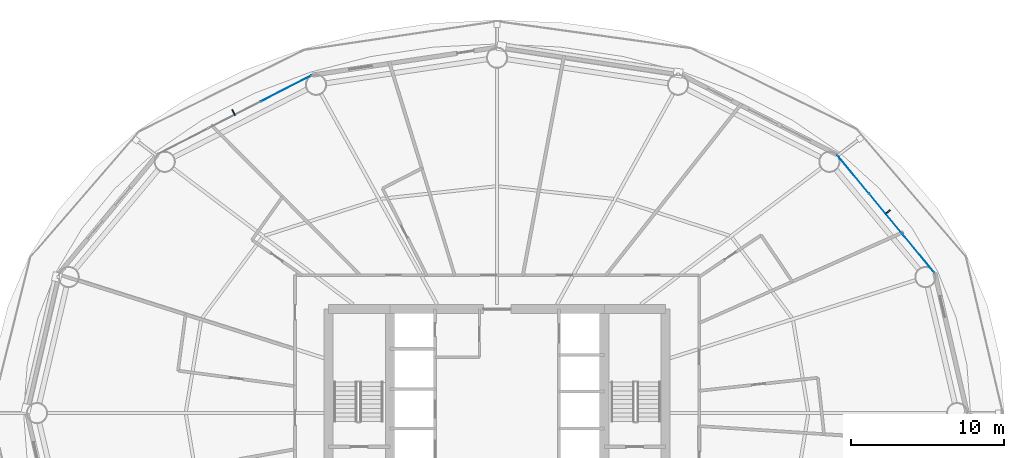
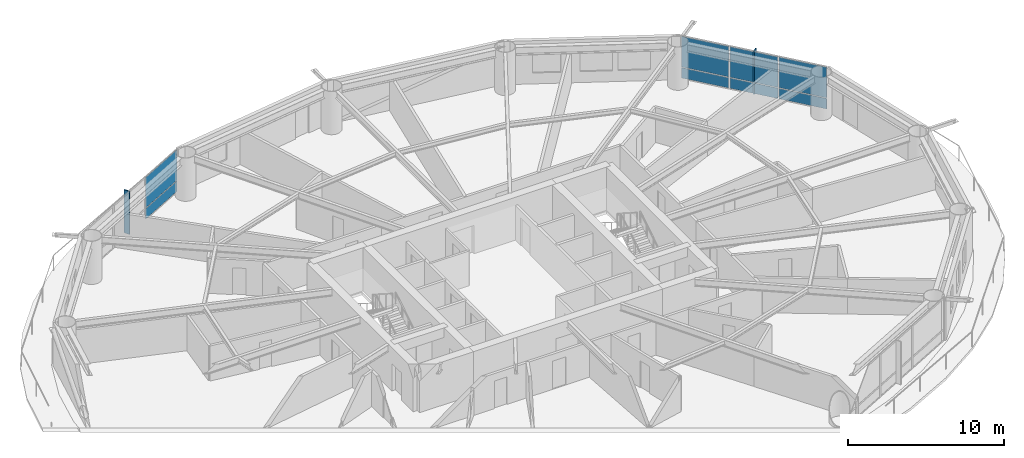
# One storey, part 18 of 26: 10 plates, 2 elements without a shape of their own.
"""IFC4 building model written with IfcOpenShell, lengths in metres."""

from ifc_helpers import new_model, si_unit, direction, frame, origin, origin_2d, place, context, subcontext, project, spatial, rectangle, extrude, material, layer, layer_set, type_object, element, aggregate, save


model = new_model("IFC4")

# Units and contexts
model_context = context("Model", 3, precision=1e-05, world=origin(), true_north=direction((0.0, 1.0)))
body_context = subcontext(model_context, "Body", "Model", "MODEL_VIEW")
ifc_project = project(units=[si_unit("LENGTHUNIT", "METRE"), si_unit("AREAUNIT", "SQUARE_METRE"), si_unit("VOLUMEUNIT", "CUBIC_METRE"), si_unit("PLANEANGLEUNIT", "RADIAN"), si_unit("MASSUNIT", "GRAM", prefix="KILO")], contexts=[model_context])

# Site, building, storey
site_placement = place(None, origin())
site = spatial("IfcSite", under=ifc_project, at=site_placement, CompositionType="ELEMENT")
building_placement = place(site_placement, origin())
building = spatial("IfcBuilding", under=site, at=building_placement, Name="Sarneth Arch Tower", CompositionType="ELEMENT")
storey_placement = place(building_placement, frame((0.0, 0.0, 57.0)))
storey = spatial("IfcBuildingStorey", under=building, at=storey_placement, Name="L13", CompositionType="ELEMENT", Elevation=57.0)

# Curtain wall, plates
ifc_material_1 = material(Name="Anodised aluminium Type AA25 and solar-control low-e laminated IGU", Category="aluminium")
ifc_layer_1 = layer(ifc_material_1, 0.159912109375)
ifc_layer_set_1 = layer_set([ifc_layer_1], Name="Anodised aluminium Type AA25 and solar-control low-e laminated IGU")
curtain_wall_type = type_object("IfcCurtainWallType", Name="CW-HOTEL-LOW", PredefinedType="NOTDEFINED", material=ifc_layer_set_1)
curtain_wall_1_placement = place(storey_placement, origin())
curtain_wall_1 = element("IfcCurtainWall", 1, at=curtain_wall_1_placement, inside=storey, type_object=curtain_wall_type, Name="L13 Unitised curtain wall facet 02", PredefinedType="NOTDEFINED")
ifc_material_2 = material(Name="Solar-control low-e laminated IGU", Category="glass")
ifc_layer_2 = layer(ifc_material_2, 0.028076171875)
ifc_layer_set_2 = layer_set([ifc_layer_2], Name="Solar-control low-e laminated IGU")
plate_type_1 = type_object("IfcPlateType", Name="CW-PANEL", PredefinedType="CURTAIN_PANEL", material=ifc_layer_set_2)
plate_1_placement = place(storey_placement, frame((75.503662109375, 52.441162109375, 0.06005859375), z_axis=(0.0, 0.0, 1.0), x_axis=(-0.637291340827, 0.770622960278, 0.0)))
plate_1 = element("IfcPlate", 2, at=plate_1_placement, type_object=plate_type_1, Name="Curtain wall glazed vision pane CW-L13-F02/P00-00", PredefinedType="CURTAIN_PANEL", context=body_context, shape_type="SweptSolid", body=[
    extrude(rectangle(XDim=3.260986328125, YDim=0.028076171875, at=origin_2d()), origin(), (0.0, 0.0, 1.0), 0.81005859375),
])
plate_2_placement = place(storey_placement, frame((75.503662109375, 52.441162109375, 0.93017578125), z_axis=(0.0, 0.0, 1.0), x_axis=(-0.637291340827, 0.770622960278, 0.0)))
plate_2 = element("IfcPlate", 3, at=plate_2_placement, type_object=plate_type_1, Name="Curtain wall glazed vision pane CW-L13-F02/P00-01", PredefinedType="CURTAIN_PANEL", context=body_context, shape_type="SweptSolid", body=[
    extrude(rectangle(XDim=3.260986328125, YDim=0.028076171875, at=origin_2d()), origin(), (0.0, 0.0, 1.0), 2.389892578125),
])
plate_3_placement = place(storey_placement, frame((73.37744140625, 55.01220703125, 0.06005859375), z_axis=(0.0, 0.0, 1.0), x_axis=(-0.637291340827, 0.770622960278, 0.0)))
plate_3 = element("IfcPlate", 4, at=plate_3_placement, type_object=plate_type_1, Name="Curtain wall glazed vision pane CW-L13-F02/P01-00", PredefinedType="CURTAIN_PANEL", context=body_context, shape_type="SweptSolid", body=[
    extrude(rectangle(XDim=3.291015625, YDim=0.028076171875, at=origin_2d()), origin(), (0.0, 0.0, 1.0), 0.81005859375),
])
plate_4_placement = place(storey_placement, frame((73.37744140625, 55.01220703125, 0.93017578125), z_axis=(0.0, 0.0, 1.0), x_axis=(-0.637291340827, 0.770622960278, 0.0)))
plate_4 = element("IfcPlate", 5, at=plate_4_placement, type_object=plate_type_1, Name="Curtain wall glazed vision pane CW-L13-F02/P01-01", PredefinedType="CURTAIN_PANEL", context=body_context, shape_type="SweptSolid", body=[
    extrude(rectangle(XDim=3.291015625, YDim=0.028076171875, at=origin_2d()), origin(), (0.0, 0.0, 1.0), 2.389892578125),
])
plate_5_placement = place(storey_placement, frame((71.25146484375, 57.5830078125, 0.06005859375), z_axis=(0.0, 0.0, 1.0), x_axis=(-0.637291340827, 0.770622960278, 0.0)))
plate_5 = element("IfcPlate", 6, at=plate_5_placement, type_object=plate_type_1, Name="Curtain wall glazed vision pane CW-L13-F02/P02-00", PredefinedType="CURTAIN_PANEL", context=body_context, shape_type="SweptSolid", body=[
    extrude(rectangle(XDim=3.260986328125, YDim=0.028076171875, at=origin_2d()), origin(), (0.0, 0.0, 1.0), 0.81005859375),
])
plate_6_placement = place(storey_placement, frame((71.25146484375, 57.5830078125, 0.93017578125), z_axis=(0.0, 0.0, 1.0), x_axis=(-0.637291340827, 0.770622960278, 0.0)))
plate_6 = element("IfcPlate", 7, at=plate_6_placement, type_object=plate_type_1, Name="Curtain wall glazed vision pane CW-L13-F02/P02-01", PredefinedType="CURTAIN_PANEL", context=body_context, shape_type="SweptSolid", body=[
    extrude(rectangle(XDim=3.260986328125, YDim=0.028076171875, at=origin_2d()), origin(), (0.0, 0.0, 1.0), 2.389892578125),
])
aggregate(curtain_wall_1, [plate_1, plate_2, plate_3, plate_4, plate_5, plate_6])

curtain_wall_2_placement = place(storey_placement, origin())
curtain_wall_2 = element("IfcCurtainWall", 8, at=curtain_wall_2_placement, inside=storey, type_object=curtain_wall_type, Name="L13 Unitised curtain wall facet 06", PredefinedType="NOTDEFINED")
plate_7_placement = place(storey_placement, frame((34.22607421875, 63.192626953125, 0.06005859375), z_axis=(0.0, 0.0, 1.0), x_axis=(-0.889854100456, -0.456245197127, 0.0)))
plate_7 = element("IfcPlate", 9, at=plate_7_placement, type_object=plate_type_1, Name="Curtain wall glazed vision pane CW-L13-F06/P00-00", PredefinedType="CURTAIN_PANEL", context=body_context, shape_type="SweptSolid", body=[
    extrude(rectangle(XDim=3.69189453125, YDim=0.028076171875, at=origin_2d()), origin(), (0.0, 0.0, 1.0), 0.81005859375),
])
plate_8_placement = place(storey_placement, frame((34.22607421875, 63.192626953125, 0.93017578125), z_axis=(0.0, 0.0, 1.0), x_axis=(-0.889854100456, -0.456245197127, 0.0)))
plate_8 = element("IfcPlate", 10, at=plate_8_placement, type_object=plate_type_1, Name="Curtain wall glazed vision pane CW-L13-F06/P00-01", PredefinedType="CURTAIN_PANEL", context=body_context, shape_type="SweptSolid", body=[
    extrude(rectangle(XDim=3.69189453125, YDim=0.028076171875, at=origin_2d()), origin(), (0.0, 0.0, 1.0), 2.389892578125),
])
aggregate(curtain_wall_2, [plate_7, plate_8])

# Plates
ifc_material_3 = material(Name="Extruded glazed terracotta baguette fin on Aluminium 6063-T6 carrier", Category="masonry")
ifc_layer_3 = layer(ifc_material_3, 0.080078125)
ifc_layer_set_3 = layer_set([ifc_layer_3], Name="Extruded glazed terracotta baguette fin on Aluminium 6063-T6 carrier")
plate_type_2 = type_object("IfcPlateType", Name="SHADE-TERRA-FIN", PredefinedType="SHEET", material=ifc_layer_set_3)
for number, where, z_axis, x_axis, name in (
    (11, (73.508544921875, 55.120361328125, 0.009765625), (0.0, 0.0, 1.0), (0.770624482513, 0.637289500111, 0.0), "L13 Terracotta vertical shading fin 02"),
    (12, (30.79638671875, 61.625244140625, 0.009765625), (0.0, 0.0, 1.0), (-0.4563215909, 0.889814927768, 0.0), "L13 Terracotta vertical shading fin 06"),
):
    element("IfcPlate", number, at=place(storey_placement, frame(where, z_axis=z_axis, x_axis=x_axis)), inside=storey, type_object=plate_type_2, Name=name, PredefinedType="SHEET", context=body_context, shape_type="SweptSolid", body=[
        extrude(rectangle(XDim=0.419921875, YDim=0.080078125, at=origin_2d()), origin(), (0.0, 0.0, 1.0), 3.360107421875),
    ])

save(model, "model.ifc")
